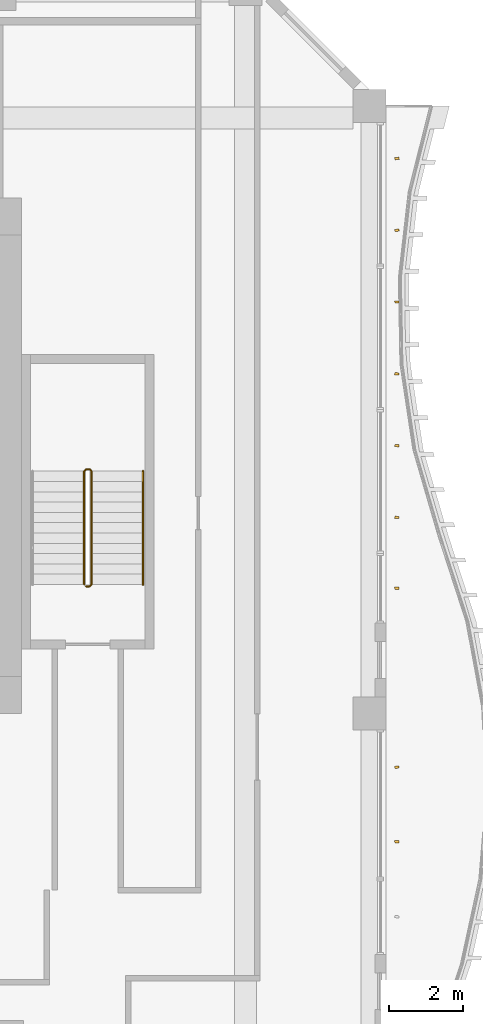
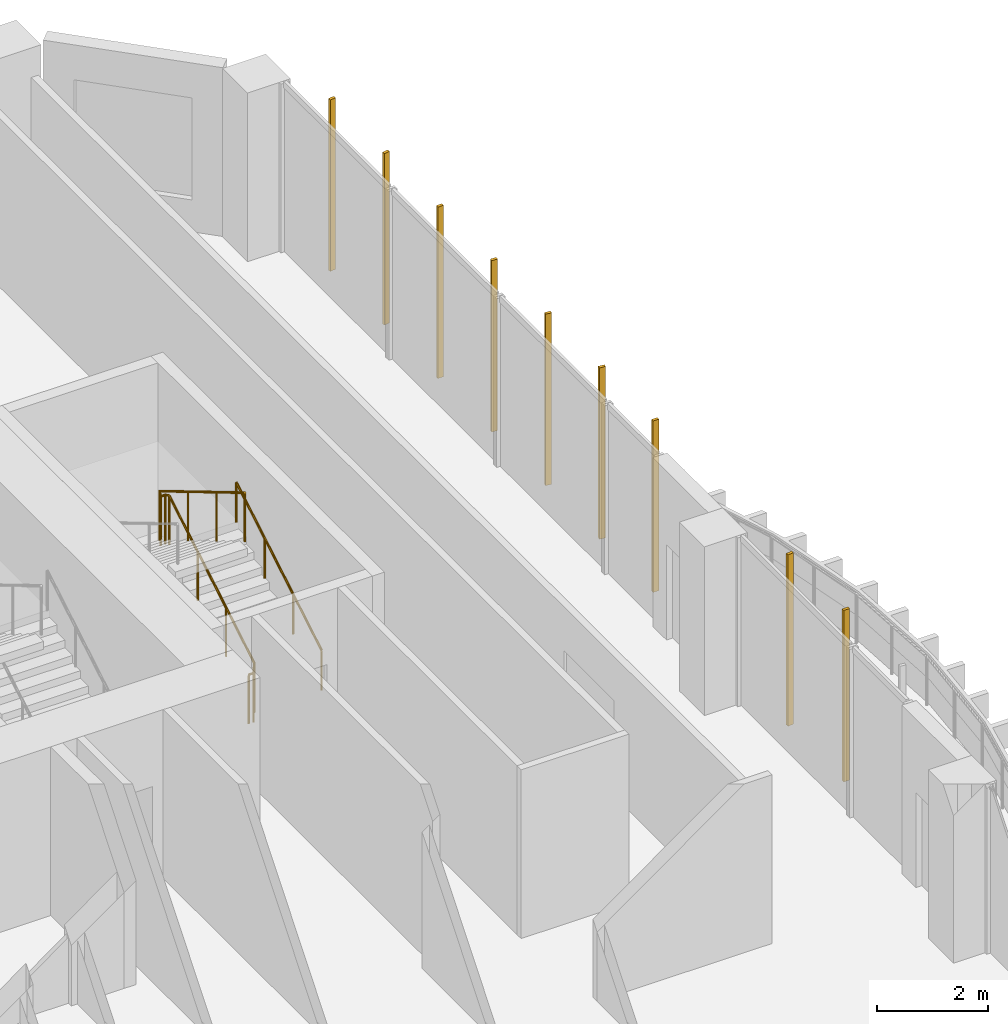
# One storey, part 27 of 27: 9 shading devices, 2 railings.
"""IFC4 building model written with IfcOpenShell, lengths in metres."""

from ifc_helpers import new_model, si_unit, direction, frame, origin, origin_2d, place, context, subcontext, project, spatial, rectangle, circle, extrude, source, transform, mapped, material, material_profile, profile_set, type_object, element, save


model = new_model("IFC4")

# Units and contexts
model_context = context("Model", 3, precision=1e-05, world=origin(), true_north=direction((0.0, 1.0)))
body_context = subcontext(model_context, "Body", "Model", "MODEL_VIEW")
ifc_project = project(units=[si_unit("LENGTHUNIT", "METRE"), si_unit("AREAUNIT", "SQUARE_METRE"), si_unit("VOLUMEUNIT", "CUBIC_METRE"), si_unit("PLANEANGLEUNIT", "RADIAN"), si_unit("MASSUNIT", "GRAM", prefix="KILO")], contexts=[model_context])

# Site, building, storey
site_placement = place(None, origin())
site = spatial("IfcSite", under=ifc_project, at=site_placement, CompositionType="ELEMENT")
building_placement = place(site_placement, origin())
building = spatial("IfcBuilding", under=site, at=building_placement, Name="Kilnfold Tower and Market Hall", CompositionType="ELEMENT")
storey_placement = place(building_placement, frame((0.0, 0.0, 47.0)))
storey = spatial("IfcBuildingStorey", under=building, at=storey_placement, Name="L10", CompositionType="ELEMENT", Elevation=47.0)

# Railings
ifc_material_1 = material(Name="Stainless steel 316", Category="steel")
railing_type_1 = type_object("IfcRailingType", Name="CORE STAIR GUARD 1100", PredefinedType="GUARDRAIL", material=ifc_material_1)
railing_1_placement = place(storey_placement, frame((19.85009765625, 11.449951171875, 0.0)))
element("IfcRailing", 1, at=railing_1_placement, inside=storey, type_object=railing_type_1, Name="L10 ST5 stair guard 1", PredefinedType="GUARDRAIL", context=body_context, shape_type="SweptSolid", body=[
    extrude(circle(Radius=0.02392578125, at=origin_2d()), frame((0.0, 0.0, 1.076171875), z_axis=(1.0, 0.0, 0.0), x_axis=(0.0, 1.0, 0.0)), (0.0, 0.0, 1.0), 0.099853515625),
    extrude(circle(Radius=0.02392578125, at=origin_2d()), frame((0.099853515625, 0.0, 1.076171875), z_axis=(0.27628659633, 0.27628659633, 0.920506074601), x_axis=(-0.707106781187, 0.707106781187, 0.0)), (0.0, 0.0, 1.0), 0.18115234375),
    extrude(circle(Radius=0.02392578125, at=origin_2d()), frame((0.14990234375, 0.050048828125, 1.24267578125), z_axis=(0.0, 0.859308565015, 0.511457515432), x_axis=(-1.0, 0.0, 0.0)), (0.0, 0.0, 1.0), 3.58447265625),
    extrude(circle(Radius=0.02392578125, at=origin_2d()), frame((0.14990234375, 3.130126953125, 3.076171875), z_axis=(-0.708833529934, 0.705375805398, 0.0), x_axis=(-0.705375805398, -0.708833529934, 0.0)), (0.0, 0.0, 1.0), 0.070556640625),
    extrude(circle(Radius=0.02392578125, at=origin_2d()), frame((0.099853515625, 3.179931640625, 3.076171875), z_axis=(-1.0, 0.0, 0.0), x_axis=(0.0, -1.0, 0.0)), (0.0, 0.0, 1.0), 0.099853515625),
    extrude(circle(Radius=0.02392578125, at=origin_2d()), frame((0.0, 3.179931640625, 3.076171875), z_axis=(-0.276389281352, -0.275041040955, 0.920848191041), x_axis=(0.705375805398, -0.708833529934, 0.0)), (0.0, 0.0, 1.0), 0.18115234375),
    extrude(circle(Radius=0.02392578125, at=origin_2d()), frame((-0.050048828125, 3.130126953125, 3.24267578125), z_axis=(0.0, -0.859308565015, 0.511457515432), x_axis=(1.0, 0.0, 0.0)), (0.0, 0.0, 1.0), 3.58447265625),
    extrude(circle(Radius=0.02099609375, at=origin_2d()), origin(), (0.0, 0.0, 1.0), 1.052001953125),
    extrude(circle(Radius=0.02099609375, at=origin_2d()), frame((0.099853515625, 0.0, 0.0)), (0.0, 0.0, 1.0), 1.052001953125),
    extrude(circle(Radius=0.02099609375, at=origin_2d()), frame((0.14990234375, 0.050048828125, 0.166748046875)), (0.0, 0.0, 1.0), 1.052001953125),
    extrude(circle(Radius=0.02099609375, at=origin_2d()), frame((0.14990234375, 1.07666015625, 0.77783203125)), (0.0, 0.0, 1.0), 1.052001953125),
    extrude(circle(Radius=0.02099609375, at=origin_2d()), frame((0.14990234375, 2.103515625, 1.388916015625)), (0.0, 0.0, 1.0), 1.052001953125),
    extrude(circle(Radius=0.02099609375, at=origin_2d()), frame((0.14990234375, 3.130126953125, 2.0)), (0.0, 0.0, 1.0), 1.052001953125),
    extrude(circle(Radius=0.02099609375, at=origin_2d()), frame((0.099853515625, 3.179931640625, 2.0)), (0.0, 0.0, 1.0), 1.052001953125),
    extrude(circle(Radius=0.02099609375, at=origin_2d()), frame((0.0, 3.179931640625, 2.0)), (0.0, 0.0, 1.0), 1.052001953125),
    extrude(circle(Radius=0.02099609375, at=origin_2d()), frame((-0.050048828125, 3.130126953125, 2.166748046875)), (0.0, 0.0, 1.0), 1.052001953125),
    extrude(circle(Radius=0.02099609375, at=origin_2d()), frame((-0.050048828125, 2.103515625, 2.77783203125)), (0.0, 0.0, 1.0), 1.052001953125),
    extrude(circle(Radius=0.02099609375, at=origin_2d()), frame((-0.050048828125, 1.07666015625, 3.388916015625)), (0.0, 0.0, 1.0), 1.052001953125),
    extrude(circle(Radius=0.02099609375, at=origin_2d()), frame((-0.050048828125, 0.050048828125, 4.0)), (0.0, 0.0, 1.0), 1.052001953125),
])
ifc_material_2 = material(Name="Stainless steel 316", Category="steel")
railing_type_2 = type_object("IfcRailingType", Name="CORE STAIR HANDRAIL 900", PredefinedType="HANDRAIL", material=ifc_material_2)
railing_2_placement = place(storey_placement, frame((21.39990234375, 11.5, 0.166748046875)))
element("IfcRailing", 2, at=railing_2_placement, inside=storey, type_object=railing_type_2, Name="L10 ST5 stair handrail 1", PredefinedType="HANDRAIL", context=body_context, shape_type="SweptSolid", body=[
    extrude(circle(Radius=0.02392578125, at=origin_2d()), frame((0.0, 0.0, 0.8759765625), z_axis=(0.0, 0.859308565015, 0.511457515432), x_axis=(-1.0, 0.0, 0.0)), (0.0, 0.0, 1.0), 3.58447265625),
    extrude(circle(Radius=0.02099609375, at=origin_2d()), origin(), (0.0, 0.0, 1.0), 0.851806640625),
    extrude(circle(Radius=0.02099609375, at=origin_2d()), frame((0.0, 1.026611328125, 0.611083984375)), (0.0, 0.0, 1.0), 0.851806640625),
    extrude(circle(Radius=0.02099609375, at=origin_2d()), frame((0.0, 2.053466796875, 1.22216796875)), (0.0, 0.0, 1.0), 0.851806640625),
    extrude(circle(Radius=0.02099609375, at=origin_2d()), frame((0.0, 3.080078125, 1.833251953125)), (0.0, 0.0, 1.0), 0.851806640625),
])

# Shading devices
ifc_material_3 = material(Name="Terracotta", Category="masonry")
ifc_material_profile = material_profile(ifc_material_3, rectangle(XDim=0.06005859375, YDim=0.1201171875, at=origin_2d()), Name="BAG 60x120")
ifc_profile_set = profile_set([ifc_material_profile], Name="Terracotta")
shading_device_type = type_object("IfcShadingDeviceType", Name="BAGUETTE", PredefinedType="USERDEFINED", material=ifc_profile_set)
shared_shape = source(origin(), body_context, "Body", "SweptSolid", [
    extrude(rectangle(XDim=0.06005859375, YDim=0.1201171875, at=origin_2d()), origin(), (0.0, 0.0, 1.0), 3.780029296875),
])
for number, where, z_axis, x_axis, name in (
    (3, (28.300048828125, 4.512451171875, 0.0), (0.0, 0.0, 1.0), (-0.001644099415, 0.999998648468, 0.0), "Terracotta baguette L10 E"),
    (4, (28.300048828125, 6.53759765625, 0.0), (0.0, 0.0, 1.0), (-0.110908686457, 0.993830600892, 0.0), "Terracotta baguette L10 E"),
    (5, (28.300048828125, 11.39990234375, 0.0), (0.0, 0.0, 1.0), (-0.005403513069, 0.999985400917, 0.0), "Terracotta baguette L10 E"),
    (6, (28.300048828125, 13.324951171875, 0.0), (0.0, 0.0, 1.0), (0.102403646143, 0.994742928227, 0.0), "Terracotta baguette L10 E"),
    (7, (28.300048828125, 15.27490234375, 0.0), (0.0, 0.0, 1.0), (0.138013287078, 0.990430377457, 0.0), "Terracotta baguette L10 E"),
    (8, (28.300048828125, 17.22509765625, 0.0), (0.0, 0.0, 1.0), (0.074811645802, 0.997197682334, 0.0), "Terracotta baguette L10 E"),
    (9, (28.300048828125, 19.175048828125, 0.0), (0.0, 0.0, 1.0), (-0.04246330648, 0.999098027024, 0.0), "Terracotta baguette L10 E"),
    (10, (28.300048828125, 21.125, 0.0), (0.0, 0.0, 1.0), (-0.128965212376, 0.991649118387, 0.0), "Terracotta baguette L10 E"),
    (11, (28.300048828125, 23.074951171875, 0.0), (0.0, 0.0, 1.0), (-0.122974487675, 0.992409832368, 0.0), "Terracotta baguette L10 E"),
):
    element("IfcShadingDevice", number, at=place(storey_placement, frame(where, z_axis=z_axis, x_axis=x_axis)), inside=storey, type_object=shading_device_type, Name=name, ObjectType="BAGUETTE", PredefinedType="USERDEFINED", context=body_context, shape_type="MappedRepresentation", body=[
        mapped(shared_shape, transform((0.0, 0.0, 0.0))),
    ])

save(model, "model.ifc")
